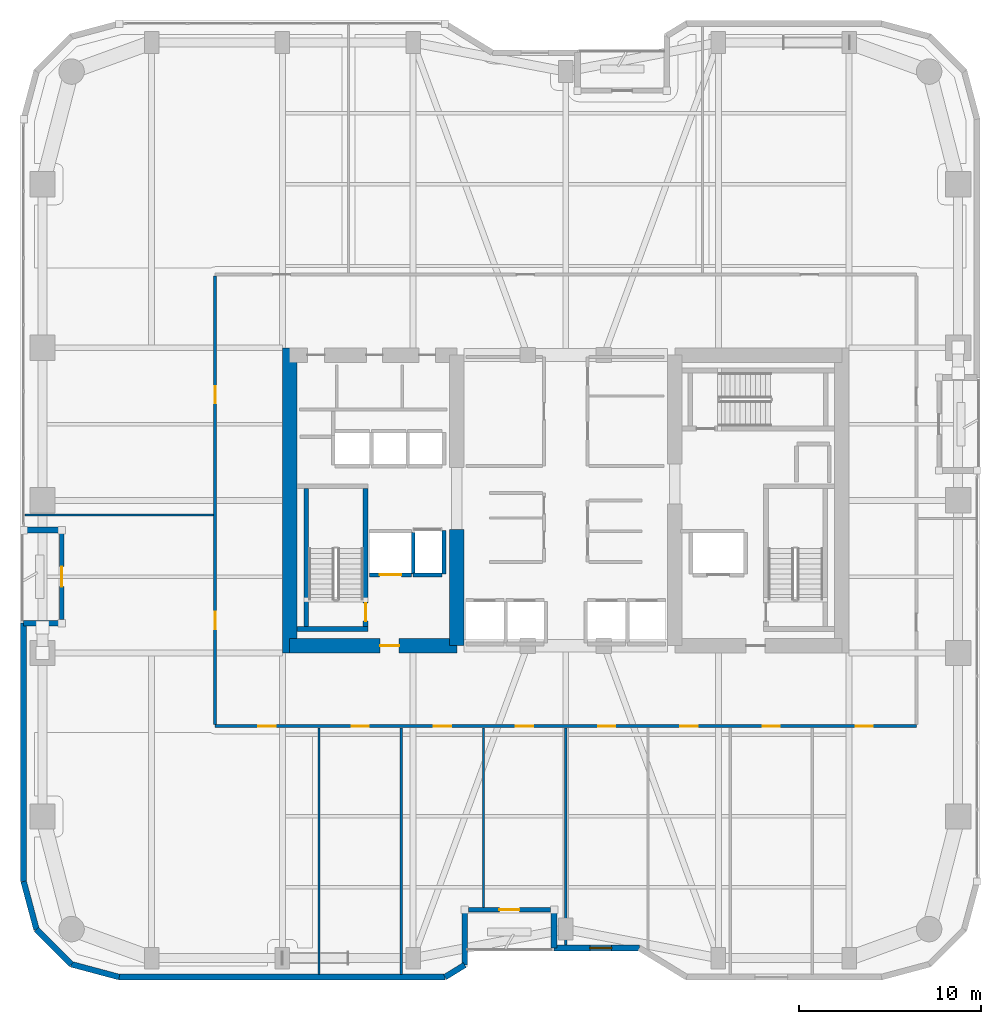
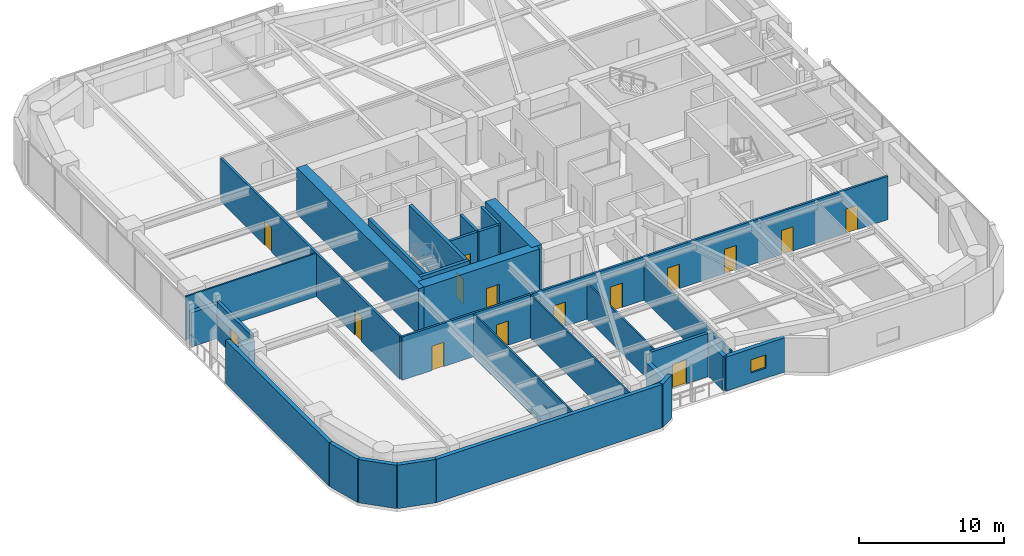
# One storey, part 18 of 24: 30 walls, 15 doors, 1 window, 16 openings.
"""IFC4 building model written with IfcOpenShell, lengths in metres."""

from ifc_helpers import new_model, si_unit, direction, frame, frame_2d, origin, place, context, subcontext, project, spatial, rectangle, extrude, material, layer, layer_set, type_object, element, fill, save


model = new_model("IFC4")

# Units and contexts
model_context = context("Model", 3, precision=1e-05, world=origin(), true_north=direction((0.0, 1.0)))
body_context = subcontext(model_context, "Body", "Model", "MODEL_VIEW")
ifc_project = project(units=[si_unit("LENGTHUNIT", "METRE"), si_unit("AREAUNIT", "SQUARE_METRE"), si_unit("VOLUMEUNIT", "CUBIC_METRE"), si_unit("PLANEANGLEUNIT", "RADIAN"), si_unit("MASSUNIT", "GRAM", prefix="KILO")], contexts=[model_context])

# Site, building, storey
site_placement = place(None, origin())
site = spatial("IfcSite", under=ifc_project, at=site_placement, CompositionType="ELEMENT")
building_placement = place(site_placement, origin())
building = spatial("IfcBuilding", under=site, at=building_placement, Name="Kiyonajd Concourse Tower", CompositionType="ELEMENT")
storey_placement = place(building_placement, frame((0.0, 0.0, 117.0)))
storey = spatial("IfcBuildingStorey", under=building, at=storey_placement, Name="L30", CompositionType="ELEMENT", Elevation=117.0)

# Walls
ifc_material_1 = material(Name="Concrete C70/85", Category="concrete")
ifc_layer_1 = layer(ifc_material_1, 0.800048828125)
ifc_layer_set_1 = layer_set([ifc_layer_1], Name="Concrete C70/85")
wall_type_1 = type_object("IfcWallType", Name="WL-CORE-800", PredefinedType="SHEAR", material=ifc_layer_set_1)
wall_1_placement = place(storey_placement, frame((32.800048828125, 27.60009765625, 0.0), z_axis=(0.0, 0.0, 1.0), x_axis=(0.0, 1.0, 0.0)))
element("IfcWall", 1, at=wall_1_placement, inside=storey, type_object=wall_type_1, Name="L30 West Core Outer Shear Wall", PredefinedType="SHEAR", context=body_context, shape_type="SweptSolid", body=[
    extrude(rectangle(XDim=16.7998046875, YDim=0.800048828125, at=frame_2d((8.39990234375, 0.0))), origin(), (0.0, 0.0, 1.0), 3.89990234375),
])
wall_2_placement = place(storey_placement, frame((42.0, 28.0, 0.0), z_axis=(0.0, 0.0, 1.0), x_axis=(0.0, 1.0, 0.0)))
element("IfcWall", 2, at=wall_2_placement, inside=storey, type_object=wall_type_1, Name="L30 West Core Inner South Shear Wall", PredefinedType="SHEAR", context=body_context, shape_type="SweptSolid", body=[
    extrude(rectangle(XDim=6.39990234375, YDim=0.800048828125, at=frame_2d((3.199951171875, 0.0))), origin(), (0.0, 0.0, 1.0), 3.89990234375),
])

# Wall, opening, door
wall_3_placement = place(storey_placement, frame((32.800048828125, 28.0, 0.0), z_axis=(0.0, 0.0, 1.0), x_axis=(1.0, 0.0, 0.0)))
wall_3 = element("IfcWall", 3, at=wall_3_placement, inside=storey, type_object=wall_type_1, Name="L30 West Core South Shear Wall", PredefinedType="SHEAR", context=body_context, shape_type="SweptSolid", body=[
    extrude(rectangle(XDim=9.199951171875, YDim=0.800048828125, at=frame_2d((4.60009765625, 0.0))), origin(), (0.0, 0.0, 1.0), 3.89990234375),
])
opening_1_placement = place(wall_3_placement, frame((4.97509765625, 0.0, 0.0)))
opening_1 = element("IfcOpeningElement", 4, at=opening_1_placement, cuts=wall_3, Name="Opening DF5", PredefinedType="OPENING", context=body_context, shape_type="SweptSolid", body=[
    extrude(rectangle(XDim=1.050048828125, YDim=2.0400390625, at=frame_2d((0.52490234375, 1.02001953125))), frame((0.0, 0.409912109375, 0.0), z_axis=(0.0, -1.0, 0.0), x_axis=(1.0, 0.0, 0.0)), (0.0, 0.0, 1.0), 0.820068359375),
])
ifc_material_2 = material(Name="Brushed Stainless Steel Cab Assembly", Category="steel")
door_type_1 = type_object("IfcDoorType", Name="DR-FD45-1050", OperationType="NOTDEFINED", PredefinedType="DOOR", material=ifc_material_2)
door_1_placement = place(opening_1_placement, origin())
door_1 = element("IfcDoor", 5, at=door_1_placement, inside=storey, type_object=door_type_1, Name="L30 Firefighting Lift Lobby W Smoke Door", OperationType="SINGLE_SWING_LEFT", OverallHeight=2.0400390625, OverallWidth=1.050048828125, PredefinedType="DOOR", context=body_context, shape_type="SweptSolid", body=[
    extrude(rectangle(XDim=1.050048828125, YDim=2.0400390625, at=frame_2d((0.52490234375, 1.02001953125))), frame((0.0, 0.02490234375, 0.0), z_axis=(0.0, -1.0, 0.0), x_axis=(1.0, 0.0, 0.0)), (0.0, 0.0, 1.0), 0.050048828125),
])
fill(opening_1, door_1)

# Walls
ifc_material_3 = material(Name="Precast concrete C50/60", Category="concrete")
ifc_layer_2 = layer(ifc_material_3, 0.320068359375)
ifc_layer_set_2 = layer_set([ifc_layer_2], Name="Precast concrete C50/60")
wall_type_2 = type_object("IfcWallType", Name="WL-EXT-320", PredefinedType="SOLIDWALL", material=ifc_layer_set_2)
wall_4_placement = place(storey_placement, frame((18.866455078125, 12.3828125, 0.0), z_axis=(0.0, 0.0, 1.0), x_axis=(-0.25869736047, 0.965958423373, 0.0)))
element("IfcWall", 6, at=wall_4_placement, inside=storey, type_object=wall_type_2, Name="L30 Exterior Concrete Frame Wall 00", PredefinedType="SOLIDWALL", context=body_context, shape_type="SweptSolid", body=[
    extrude(rectangle(XDim=2.731201171875, YDim=0.320068359375, at=frame_2d((1.36572265625, 0.0))), origin(), (0.0, 0.0, 1.0), 3.639892578125),
])
wall_5_placement = place(storey_placement, frame((18.159912109375, 15.02099609375, 0.0), z_axis=(0.0, 0.0, 1.0), x_axis=(0.0, 1.0, 0.0)))
element("IfcWall", 7, at=wall_5_placement, inside=storey, type_object=wall_type_2, Name="L30 Exterior Concrete Frame Wall 01", PredefinedType="SOLIDWALL", context=body_context, shape_type="SweptSolid", body=[
    extrude(rectangle(XDim=14.218994140625, YDim=0.320068359375, at=frame_2d((7.109375, 0.0))), origin(), (0.0, 0.0, 1.0), 3.639892578125),
])
for number, where, z_axis, x_axis, name in (
    (8, (18.159912109375, 29.239990234375, 0.0), (0.0, 0.0, 1.0), (1.0, 0.0, 0.0), "L30 Exterior Concrete Frame Wall 02"),
    (9, (20.260009765625, 34.360107421875, 0.0), (0.0, 0.0, 1.0), (-1.0, 0.0, 0.0), "L30 Exterior Concrete Frame Wall 04"),
):
    element("IfcWall", number, at=place(storey_placement, frame(where, z_axis=z_axis, x_axis=x_axis)), inside=storey, type_object=wall_type_2, Name=name, PredefinedType="SOLIDWALL", context=body_context, shape_type="SweptSolid", body=[
        extrude(rectangle(XDim=2.10009765625, YDim=0.320068359375, at=frame_2d((1.050048828125, 0.0))), origin(), (0.0, 0.0, 1.0), 2.875),
    ])

# Wall, opening, window
wall_6_placement = place(storey_placement, frame((52.04541015625, 11.360107421875, 0.0), z_axis=(0.0, 0.0, 1.0), x_axis=(-1.0, 0.0, 0.0)))
wall_6 = element("IfcWall", 10, at=wall_6_placement, inside=storey, type_object=wall_type_2, Name="L30 Exterior Concrete Frame Wall 30", PredefinedType="SOLIDWALL", context=body_context, shape_type="SweptSolid", body=[
    extrude(rectangle(XDim=4.685302734375, YDim=0.320068359375, at=frame_2d((2.3427734375, 0.0))), origin(), (0.0, 0.0, 1.0), 2.875),
])
opening_2_placement = place(wall_6_placement, frame((1.51806640625, 0.0, 0.85009765625)))
opening_2 = element("IfcOpeningElement", 11, at=opening_2_placement, cuts=wall_6, Name="Opening WN3", PredefinedType="OPENING", context=body_context, shape_type="SweptSolid", body=[
    extrude(rectangle(XDim=1.199951171875, YDim=1.10009765625, at=frame_2d((0.60009765625, 0.550048828125))), frame((0.0, 0.169921875, 0.0), z_axis=(0.0, -1.0, 0.0), x_axis=(1.0, 0.0, 0.0)), (0.0, 0.0, 1.0), 0.340087890625),
])
ifc_material_4 = material(Name="Double Low-E Insulated Glass", Category="glass")
window_type = type_object("IfcWindowType", Name="WN-VIS-1200x1100", PartitioningType="SINGLE_PANEL", PredefinedType="WINDOW", material=ifc_material_4)
window_placement = place(opening_2_placement, origin())
window = element("IfcWindow", 12, at=window_placement, inside=storey, type_object=window_type, Name="L30 Modular Facade Vision Window 30", OverallHeight=1.10009765625, OverallWidth=1.199951171875, PartitioningType="SINGLE_PANEL", PredefinedType="WINDOW", context=body_context, shape_type="SweptSolid", body=[
    extrude(rectangle(XDim=1.199951171875, YDim=1.10009765625, at=frame_2d((0.60009765625, 0.550048828125))), frame((0.0, 0.030029296875, 0.0), z_axis=(0.0, -1.0, 0.0), x_axis=(1.0, 0.0, 0.0)), (0.0, 0.0, 1.0), 0.06005859375),
])
fill(opening_2, window)

# Walls
wall_7_placement = place(storey_placement, frame((47.360107421875, 11.360107421875, 0.0), z_axis=(0.0, 0.0, 1.0), x_axis=(0.0, 1.0, 0.0)))
element("IfcWall", 13, at=wall_7_placement, inside=storey, type_object=wall_type_2, Name="L30 Exterior Concrete Frame Wall 31", PredefinedType="SOLIDWALL", context=body_context, shape_type="SweptSolid", body=[
    extrude(rectangle(XDim=2.099853515625, YDim=0.320068359375, at=frame_2d((1.0498046875, 0.0))), origin(), (0.0, 0.0, 1.0), 2.875),
])
wall_8_placement = place(storey_placement, frame((42.43994140625, 13.4599609375, 0.0), z_axis=(0.0, 0.0, 1.0), x_axis=(0.0, -1.0, 0.0)))
element("IfcWall", 14, at=wall_8_placement, inside=storey, type_object=wall_type_2, Name="L30 Exterior Concrete Frame Wall 33", PredefinedType="SOLIDWALL", context=body_context, shape_type="SweptSolid", body=[
    extrude(rectangle(XDim=3.032470703125, YDim=0.320068359375, at=frame_2d((1.51611328125, 0.0))), origin(), (0.0, 0.0, 1.0), 2.875),
])
wall_9_placement = place(storey_placement, frame((42.43994140625, 10.427490234375, 0.0), z_axis=(0.0, 0.0, 1.0), x_axis=(-0.851776724646, -0.523904964045, 0.0)))
element("IfcWall", 15, at=wall_9_placement, inside=storey, type_object=wall_type_2, Name="L30 Exterior Concrete Frame Wall 34", PredefinedType="SOLIDWALL", context=body_context, shape_type="SweptSolid", body=[
    extrude(rectangle(XDim=1.274169921875, YDim=0.320068359375, at=frame_2d((0.63720703125, 0.0))), origin(), (0.0, 0.0, 1.0), 3.639892578125),
])
wall_10_placement = place(storey_placement, frame((41.354736328125, 9.760009765625, 0.0), z_axis=(0.0, 0.0, 1.0), x_axis=(-1.0, 0.0, 0.0)))
element("IfcWall", 16, at=wall_10_placement, inside=storey, type_object=wall_type_2, Name="L30 Exterior Concrete Frame Wall 35", PredefinedType="SOLIDWALL", context=body_context, shape_type="SweptSolid", body=[
    extrude(rectangle(XDim=17.93359375, YDim=0.320068359375, at=frame_2d((8.966796875, 0.0))), origin(), (0.0, 0.0, 1.0), 3.639892578125),
])
wall_11_placement = place(storey_placement, frame((23.421142578125, 9.760009765625, 0.0), z_axis=(0.0, 0.0, 1.0), x_axis=(-0.965964405026, 0.25867502435, 0.0)))
element("IfcWall", 17, at=wall_11_placement, inside=storey, type_object=wall_type_2, Name="L30 Exterior Concrete Frame Wall 36", PredefinedType="SOLIDWALL", context=body_context, shape_type="SweptSolid", body=[
    extrude(rectangle(XDim=2.7314453125, YDim=0.320068359375, at=frame_2d((1.36572265625, 0.0))), origin(), (0.0, 0.0, 1.0), 3.639892578125),
])
wall_12_placement = place(storey_placement, frame((20.78271484375, 10.466552734375, 0.0), z_axis=(0.0, 0.0, 1.0), x_axis=(-0.707106781187, 0.707106781187, 0.0)))
element("IfcWall", 18, at=wall_12_placement, inside=storey, type_object=wall_type_2, Name="L30 Exterior Concrete Frame Wall 37", PredefinedType="SOLIDWALL", context=body_context, shape_type="SweptSolid", body=[
    extrude(rectangle(XDim=2.7099609375, YDim=0.320068359375, at=frame_2d((1.35498046875, 0.0))), origin(), (0.0, 0.0, 1.0), 3.639892578125),
])

# Wall, opening, door
ifc_layer_3 = layer(ifc_material_3, 0.239990234375)
ifc_layer_set_3 = layer_set([ifc_layer_3], Name="Precast concrete C50/60")
wall_type_3 = type_object("IfcWallType", Name="WL-LOG-240", PredefinedType="SOLIDWALL", material=ifc_layer_set_3)
wall_13_placement = place(storey_placement, frame((20.260009765625, 29.43505859375, 0.0), z_axis=(0.0, 0.0, 1.0), x_axis=(0.0, 1.0, 0.0)))
wall_13 = element("IfcWall", 19, at=wall_13_placement, inside=storey, type_object=wall_type_3, Name="L30 Recessed Loggia Thermal Wall LOG-W", PredefinedType="SOLIDWALL", context=body_context, shape_type="SweptSolid", body=[
    extrude(rectangle(XDim=4.72998046875, YDim=0.239990234375, at=frame_2d((2.364990234375, 0.0))), origin(), (0.0, 0.0, 1.0), 3.162109375),
])
opening_3_placement = place(wall_13_placement, frame((1.81494140625, 0.0, 0.0)))
opening_3 = element("IfcOpeningElement", 20, at=opening_3_placement, cuts=wall_13, Name="Opening DL2", PredefinedType="OPENING", context=body_context, shape_type="SweptSolid", body=[
    extrude(rectangle(XDim=1.10009765625, YDim=2.0400390625, at=frame_2d((0.550048828125, 1.02001953125))), frame((0.0, 0.1298828125, 0.0), z_axis=(0.0, -1.0, 0.0), x_axis=(1.0, 0.0, 0.0)), (0.0, 0.0, 1.0), 0.260009765625),
])
ifc_material_5 = material(Name="Thermally Broken Anodised Aluminium", Category="aluminium")
door_type_2 = type_object("IfcDoorType", Name="DR-LOG-1100", OperationType="NOTDEFINED", PredefinedType="DOOR", material=ifc_material_5)
door_2_placement = place(opening_3_placement, origin())
door_2 = element("IfcDoor", 21, at=door_2_placement, inside=storey, type_object=door_type_2, Name="L30 Engawa Loggia Access Door LOG-W", OperationType="SINGLE_SWING_LEFT", OverallHeight=2.0400390625, OverallWidth=1.10009765625, PredefinedType="DOOR", context=body_context, shape_type="SweptSolid", body=[
    extrude(rectangle(XDim=1.10009765625, YDim=2.0400390625, at=frame_2d((0.550048828125, 1.02001953125))), frame((0.0, 0.02490234375, 0.0), z_axis=(0.0, -1.0, 0.0), x_axis=(1.0, 0.0, 0.0)), (0.0, 0.0, 1.0), 0.050048828125),
])
fill(opening_3, door_2)

wall_14_placement = place(storey_placement, frame((47.1650390625, 13.4599609375, 0.0), z_axis=(0.0, 0.0, 1.0), x_axis=(-1.0, 0.0, 0.0)))
wall_14 = element("IfcWall", 22, at=wall_14_placement, inside=storey, type_object=wall_type_3, Name="L30 Recessed Loggia Thermal Wall LOG-S", PredefinedType="SOLIDWALL", context=body_context, shape_type="SweptSolid", body=[
    extrude(rectangle(XDim=4.530029296875, YDim=0.239990234375, at=frame_2d((2.26513671875, 0.0))), origin(), (0.0, 0.0, 1.0), 3.639892578125),
])
opening_4_placement = place(wall_14_placement, frame((1.715087890625, 0.0, 0.0)))
opening_4 = element("IfcOpeningElement", 23, at=opening_4_placement, cuts=wall_14, Name="Opening DL2", PredefinedType="OPENING", context=body_context, shape_type="SweptSolid", body=[
    extrude(rectangle(XDim=1.10009765625, YDim=2.0400390625, at=frame_2d((0.550048828125, 1.02001953125))), frame((0.0, 0.1298828125, 0.0), z_axis=(0.0, -1.0, 0.0), x_axis=(1.0, 0.0, 0.0)), (0.0, 0.0, 1.0), 0.260009765625),
])
door_3_placement = place(opening_4_placement, origin())
door_3 = element("IfcDoor", 24, at=door_3_placement, inside=storey, type_object=door_type_2, Name="L30 Engawa Loggia Access Door LOG-S", OperationType="SINGLE_SWING_RIGHT", OverallHeight=2.0400390625, OverallWidth=1.10009765625, PredefinedType="DOOR", context=body_context, shape_type="SweptSolid", body=[
    extrude(rectangle(XDim=1.10009765625, YDim=2.0400390625, at=frame_2d((0.550048828125, 1.02001953125))), frame((0.0, 0.02490234375, 0.0), z_axis=(0.0, -1.0, 0.0), x_axis=(1.0, 0.0, 0.0)), (0.0, 0.0, 1.0), 0.050048828125),
])
fill(opening_4, door_3)

# Walls
ifc_material_6 = material(Name="Gypsum Board on Cold-Formed Steel Stud", Category="steel")
ifc_layer_4 = layer(ifc_material_6, 0.125)
ifc_layer_set_4 = layer_set([ifc_layer_4], Name="Gypsum Board on Cold-Formed Steel Stud")
wall_type_4 = type_object("IfcWallType", Name="WL-PART-125", PredefinedType="PARTITIONING", material=ifc_layer_set_4)
for number, where, z_axis, x_axis, name in (
    (25, (34.419921875, 9.9150390625, 0.0), (0.0, 0.0, 1.0), (0.0, 1.0, 0.0), "L30 Interior Partition Wall"),
    (26, (38.949951171875, 9.9150390625, 0.0), (0.0, 0.0, 1.0), (0.0, 1.0, 0.0), "L30 Interior Partition Wall"),
):
    element("IfcWall", number, at=place(storey_placement, frame(where, z_axis=z_axis, x_axis=x_axis)), inside=storey, type_object=wall_type_4, Name=name, PredefinedType="PARTITIONING", context=body_context, shape_type="SweptSolid", body=[
        extrude(rectangle(XDim=13.56787109375, YDim=0.125, at=frame_2d((6.783935546875, 0.0))), origin(), (0.0, 0.0, 1.0), 3.639892578125),
    ])
wall_15_placement = place(storey_placement, frame((43.469970703125, 13.574951171875, 0.0), z_axis=(0.0, 0.0, 1.0), x_axis=(0.0, 1.0, 0.0)))
element("IfcWall", 27, at=wall_15_placement, inside=storey, type_object=wall_type_4, Name="L30 Interior Partition Wall", PredefinedType="PARTITIONING", context=body_context, shape_type="SweptSolid", body=[
    extrude(rectangle(XDim=9.907958984375, YDim=0.125, at=frame_2d((4.9541015625, 0.0))), origin(), (0.0, 0.0, 1.0), 3.0029296875),
])
wall_16_placement = place(storey_placement, frame((48.0, 11.514892578125, 0.0), z_axis=(0.0, 0.0, 1.0), x_axis=(0.0, 1.0, 0.0)))
element("IfcWall", 28, at=wall_16_placement, inside=storey, type_object=wall_type_4, Name="L30 Interior Partition Wall", PredefinedType="PARTITIONING", context=body_context, shape_type="SweptSolid", body=[
    extrude(rectangle(XDim=11.968017578125, YDim=0.125, at=frame_2d((5.98388671875, 0.0))), origin(), (0.0, 0.0, 1.0), 3.0029296875),
])
wall_17_placement = place(storey_placement, frame((18.2451171875, 35.199951171875, 0.0), z_axis=(0.0, 0.0, 1.0), x_axis=(1.0, 0.0, 0.0)))
element("IfcWall", 29, at=wall_17_placement, inside=storey, type_object=wall_type_4, Name="L30 Interior Partition Wall", PredefinedType="PARTITIONING", context=body_context, shape_type="SweptSolid", body=[
    extrude(rectangle(XDim=10.367919921875, YDim=0.125, at=frame_2d((5.18408203125, 0.0))), origin(), (0.0, 0.0, 1.0), 3.639892578125),
])

# Wall, opening, door
ifc_layer_5 = layer(ifc_material_6, 0.2099609375)
ifc_layer_set_5 = layer_set([ifc_layer_5], Name="Gypsum Board on Cold-Formed Steel Stud")
wall_type_5 = type_object("IfcWallType", Name="WL-SHAFT-210", PredefinedType="PARTITIONING", material=ifc_layer_set_5)
wall_18_placement = place(storey_placement, frame((37.199951171875, 31.89990234375, 0.0), z_axis=(0.0, 0.0, 1.0), x_axis=(1.0, 0.0, 0.0)))
wall_18 = element("IfcWall", 30, at=wall_18_placement, inside=storey, type_object=wall_type_5, Name="L30 Shaft Enclosure Wall", PredefinedType="PARTITIONING", context=body_context, shape_type="SweptSolid", body=[
    extrude(rectangle(XDim=2.300048828125, YDim=0.2099609375, at=frame_2d((1.14990234375, 0.0))), origin(), (0.0, 0.0, 1.0), 3.639892578125),
])
opening_5_placement = place(wall_18_placement, frame((0.550048828125, 0.0, 0.0)))
opening_5 = element("IfcOpeningElement", 31, at=opening_5_placement, cuts=wall_18, Name="Opening LD2", PredefinedType="OPENING", context=body_context, shape_type="SweptSolid", body=[
    extrude(rectangle(XDim=1.199951171875, YDim=2.0400390625, at=frame_2d((0.60009765625, 1.02001953125))), frame((0.0, 0.114990234375, 0.0), z_axis=(0.0, -1.0, 0.0), x_axis=(1.0, 0.0, 0.0)), (0.0, 0.0, 1.0), 0.22998046875),
])
door_type_3 = type_object("IfcDoorType", Name="DR-LD-1200", OperationType="DOUBLE_DOOR_SLIDING", PredefinedType="DOOR", material=ifc_material_2)
door_4_placement = place(opening_5_placement, origin())
door_4 = element("IfcDoor", 32, at=door_4_placement, inside=storey, type_object=door_type_3, Name="L30 Lift FFL1 Sliding Landing Door", OperationType="DOUBLE_DOOR_SLIDING", OverallHeight=2.0400390625, OverallWidth=1.199951171875, PredefinedType="DOOR", context=body_context, shape_type="SweptSolid", body=[
    extrude(rectangle(XDim=1.199951171875, YDim=2.0400390625, at=frame_2d((0.60009765625, 1.02001953125))), frame((0.0, 0.02490234375, 0.0), z_axis=(0.0, -1.0, 0.0), x_axis=(1.0, 0.0, 0.0)), (0.0, 0.0, 1.0), 0.050048828125),
])
fill(opening_5, door_4)

# Walls
wall_19_placement = place(storey_placement, frame((39.60009765625, 31.9599609375, 0.0), z_axis=(0.0, 0.0, 1.0), x_axis=(0.0, 1.0, 0.0)))
element("IfcWall", 33, at=wall_19_placement, inside=storey, type_object=wall_type_5, Name="L30 Shaft Enclosure Wall", PredefinedType="PARTITIONING", context=body_context, shape_type="SweptSolid", body=[
    extrude(rectangle(XDim=2.280029296875, YDim=0.2099609375, at=frame_2d((1.14013671875, 0.0))), origin(), (0.0, 0.0, 1.0), 3.639892578125),
])
wall_20_placement = place(storey_placement, frame((39.60009765625, 31.89990234375, 0.0), z_axis=(0.0, 0.0, 1.0), x_axis=(1.0, 0.0, 0.0)))
element("IfcWall", 34, at=wall_20_placement, inside=storey, type_object=wall_type_5, Name="L30 Shaft Enclosure Wall", PredefinedType="PARTITIONING", context=body_context, shape_type="SweptSolid", body=[
    extrude(rectangle(XDim=1.599853515625, YDim=0.2099609375, at=frame_2d((0.7998046875, 0.0))), origin(), (0.0, 0.0, 1.0), 3.639892578125),
])
wall_21_placement = place(storey_placement, frame((41.300048828125, 31.9599609375, 0.0), z_axis=(0.0, 0.0, 1.0), x_axis=(0.0, 1.0, 0.0)))
element("IfcWall", 35, at=wall_21_placement, inside=storey, type_object=wall_type_5, Name="L30 Shaft Enclosure Wall", PredefinedType="PARTITIONING", context=body_context, shape_type="SweptSolid", body=[
    extrude(rectangle(XDim=2.380126953125, YDim=0.2099609375, at=frame_2d((1.18994140625, 0.0))), origin(), (0.0, 0.0, 1.0), 3.639892578125),
])

# Wall, openings, doors
ifc_layer_6 = layer(ifc_material_6, 0.169921875)
ifc_layer_set_6 = layer_set([ifc_layer_6], Name="Gypsum Board on Cold-Formed Steel Stud")
wall_type_6 = type_object("IfcWallType", Name="WL-SMK-170", PredefinedType="PARTITIONING", material=ifc_layer_set_6)
wall_22_placement = place(storey_placement, frame((28.699951171875, 23.570068359375, 0.0), z_axis=(0.0, 0.0, 1.0), x_axis=(1.0, 0.0, 0.0)))
wall_22 = element("IfcWall", 36, at=wall_22_placement, inside=storey, type_object=wall_type_6, Name="L30 Interior Partition Wall", PredefinedType="PARTITIONING", context=body_context, shape_type="SweptSolid", body=[
    extrude(rectangle(XDim=38.60009765625, YDim=0.169921875, at=frame_2d((19.300048828125, 0.0))), origin(), (0.0, 0.0, 1.0), 3.639892578125),
])
opening_6_placement = place(wall_22_placement, frame((2.385009765625, 0.0, 0.0)))
opening_6 = element("IfcOpeningElement", 37, at=opening_6_placement, cuts=wall_22, Name="Opening DI1", PredefinedType="OPENING", context=body_context, shape_type="SweptSolid", body=[
    extrude(rectangle(XDim=0.949951171875, YDim=2.0400390625, at=frame_2d((0.47509765625, 1.02001953125))), frame((0.0, 0.094970703125, 0.0), z_axis=(0.0, -1.0, 0.0), x_axis=(1.0, 0.0, 0.0)), (0.0, 0.0, 1.0), 0.18994140625),
])
opening_7_placement = place(wall_22_placement, frame((7.510009765625, 0.0, 0.0)))
opening_7 = element("IfcOpeningElement", 38, at=opening_7_placement, cuts=wall_22, Name="Opening DI1", PredefinedType="OPENING", context=body_context, shape_type="SweptSolid", body=[
    extrude(rectangle(XDim=0.949951171875, YDim=2.0400390625, at=frame_2d((0.47509765625, 1.02001953125))), frame((0.0, 0.094970703125, 0.0), z_axis=(0.0, -1.0, 0.0), x_axis=(1.0, 0.0, 0.0)), (0.0, 0.0, 1.0), 0.18994140625),
])
opening_8_placement = place(wall_22_placement, frame((12.034912109375, 0.0, 0.0)))
opening_8 = element("IfcOpeningElement", 39, at=opening_8_placement, cuts=wall_22, Name="Opening DI1", PredefinedType="OPENING", context=body_context, shape_type="SweptSolid", body=[
    extrude(rectangle(XDim=0.949951171875, YDim=2.0400390625, at=frame_2d((0.47509765625, 1.02001953125))), frame((0.0, 0.094970703125, 0.0), z_axis=(0.0, -1.0, 0.0), x_axis=(1.0, 0.0, 0.0)), (0.0, 0.0, 1.0), 0.18994140625),
])
opening_9_placement = place(wall_22_placement, frame((16.56005859375, 0.0, 0.0)))
opening_9 = element("IfcOpeningElement", 40, at=opening_9_placement, cuts=wall_22, Name="Opening DI1", PredefinedType="OPENING", context=body_context, shape_type="SweptSolid", body=[
    extrude(rectangle(XDim=0.949951171875, YDim=2.0400390625, at=frame_2d((0.47509765625, 1.02001953125))), frame((0.0, 0.094970703125, 0.0), z_axis=(0.0, -1.0, 0.0), x_axis=(1.0, 0.0, 0.0)), (0.0, 0.0, 1.0), 0.18994140625),
])
opening_10_placement = place(wall_22_placement, frame((21.0849609375, 0.0, 0.0)))
opening_10 = element("IfcOpeningElement", 41, at=opening_10_placement, cuts=wall_22, Name="Opening DI1", PredefinedType="OPENING", context=body_context, shape_type="SweptSolid", body=[
    extrude(rectangle(XDim=0.949951171875, YDim=2.0400390625, at=frame_2d((0.47509765625, 1.02001953125))), frame((0.0, 0.094970703125, 0.0), z_axis=(0.0, -1.0, 0.0), x_axis=(1.0, 0.0, 0.0)), (0.0, 0.0, 1.0), 0.18994140625),
])
opening_11_placement = place(wall_22_placement, frame((25.610107421875, 0.0, 0.0)))
opening_11 = element("IfcOpeningElement", 42, at=opening_11_placement, cuts=wall_22, Name="Opening DI1", PredefinedType="OPENING", context=body_context, shape_type="SweptSolid", body=[
    extrude(rectangle(XDim=0.949951171875, YDim=2.0400390625, at=frame_2d((0.47509765625, 1.02001953125))), frame((0.0, 0.094970703125, 0.0), z_axis=(0.0, -1.0, 0.0), x_axis=(1.0, 0.0, 0.0)), (0.0, 0.0, 1.0), 0.18994140625),
])
opening_12_placement = place(wall_22_placement, frame((30.135009765625, 0.0, 0.0)))
opening_12 = element("IfcOpeningElement", 43, at=opening_12_placement, cuts=wall_22, Name="Opening DI1", PredefinedType="OPENING", context=body_context, shape_type="SweptSolid", body=[
    extrude(rectangle(XDim=0.949951171875, YDim=2.0400390625, at=frame_2d((0.47509765625, 1.02001953125))), frame((0.0, 0.094970703125, 0.0), z_axis=(0.0, -1.0, 0.0), x_axis=(1.0, 0.0, 0.0)), (0.0, 0.0, 1.0), 0.18994140625),
])
opening_13_placement = place(wall_22_placement, frame((35.260009765625, 0.0, 0.0)))
opening_13 = element("IfcOpeningElement", 44, at=opening_13_placement, cuts=wall_22, Name="Opening DI1", PredefinedType="OPENING", context=body_context, shape_type="SweptSolid", body=[
    extrude(rectangle(XDim=0.949951171875, YDim=2.0400390625, at=frame_2d((0.47509765625, 1.02001953125))), frame((0.0, 0.094970703125, 0.0), z_axis=(0.0, -1.0, 0.0), x_axis=(1.0, 0.0, 0.0)), (0.0, 0.0, 1.0), 0.18994140625),
])
ifc_material_7 = material(Name="Natural Oak Acoustic Timber Veneer", Category="wood")
door_type_4 = type_object("IfcDoorType", Name="DR-INT-950", OperationType="NOTDEFINED", PredefinedType="DOOR", material=ifc_material_7)
door_5_placement = place(opening_6_placement, origin())
door_5 = element("IfcDoor", 45, at=door_5_placement, inside=storey, type_object=door_type_4, Name="L30 Interior Door", OperationType="SINGLE_SWING_RIGHT", OverallHeight=2.0400390625, OverallWidth=0.949951171875, PredefinedType="DOOR", context=body_context, shape_type="SweptSolid", body=[
    extrude(rectangle(XDim=0.949951171875, YDim=2.0400390625, at=frame_2d((0.47509765625, 1.02001953125))), frame((0.0, 0.02490234375, 0.0), z_axis=(0.0, -1.0, 0.0), x_axis=(1.0, 0.0, 0.0)), (0.0, 0.0, 1.0), 0.050048828125),
])
fill(opening_6, door_5)
door_6_placement = place(opening_7_placement, origin())
door_6 = element("IfcDoor", 46, at=door_6_placement, inside=storey, type_object=door_type_4, Name="L30 Interior Door", OperationType="SINGLE_SWING_LEFT", OverallHeight=2.0400390625, OverallWidth=0.949951171875, PredefinedType="DOOR", context=body_context, shape_type="SweptSolid", body=[
    extrude(rectangle(XDim=0.949951171875, YDim=2.0400390625, at=frame_2d((0.47509765625, 1.02001953125))), frame((0.0, 0.02490234375, 0.0), z_axis=(0.0, -1.0, 0.0), x_axis=(1.0, 0.0, 0.0)), (0.0, 0.0, 1.0), 0.050048828125),
])
fill(opening_7, door_6)
door_7_placement = place(opening_8_placement, origin())
door_7 = element("IfcDoor", 47, at=door_7_placement, inside=storey, type_object=door_type_4, Name="L30 Interior Door", OperationType="SINGLE_SWING_RIGHT", OverallHeight=2.0400390625, OverallWidth=0.949951171875, PredefinedType="DOOR", context=body_context, shape_type="SweptSolid", body=[
    extrude(rectangle(XDim=0.949951171875, YDim=2.0400390625, at=frame_2d((0.47509765625, 1.02001953125))), frame((0.0, 0.02490234375, 0.0), z_axis=(0.0, -1.0, 0.0), x_axis=(1.0, 0.0, 0.0)), (0.0, 0.0, 1.0), 0.050048828125),
])
fill(opening_8, door_7)
door_8_placement = place(opening_9_placement, origin())
door_8 = element("IfcDoor", 48, at=door_8_placement, inside=storey, type_object=door_type_4, Name="L30 Interior Door", OperationType="SINGLE_SWING_LEFT", OverallHeight=2.0400390625, OverallWidth=0.949951171875, PredefinedType="DOOR", context=body_context, shape_type="SweptSolid", body=[
    extrude(rectangle(XDim=0.949951171875, YDim=2.0400390625, at=frame_2d((0.47509765625, 1.02001953125))), frame((0.0, 0.02490234375, 0.0), z_axis=(0.0, -1.0, 0.0), x_axis=(1.0, 0.0, 0.0)), (0.0, 0.0, 1.0), 0.050048828125),
])
fill(opening_9, door_8)
door_9_placement = place(opening_10_placement, origin())
door_9 = element("IfcDoor", 49, at=door_9_placement, inside=storey, type_object=door_type_4, Name="L30 Interior Door", OperationType="SINGLE_SWING_RIGHT", OverallHeight=2.0400390625, OverallWidth=0.949951171875, PredefinedType="DOOR", context=body_context, shape_type="SweptSolid", body=[
    extrude(rectangle(XDim=0.949951171875, YDim=2.0400390625, at=frame_2d((0.47509765625, 1.02001953125))), frame((0.0, 0.02490234375, 0.0), z_axis=(0.0, -1.0, 0.0), x_axis=(1.0, 0.0, 0.0)), (0.0, 0.0, 1.0), 0.050048828125),
])
fill(opening_10, door_9)
door_10_placement = place(opening_11_placement, origin())
door_10 = element("IfcDoor", 50, at=door_10_placement, inside=storey, type_object=door_type_4, Name="L30 Interior Door", OperationType="SINGLE_SWING_LEFT", OverallHeight=2.0400390625, OverallWidth=0.949951171875, PredefinedType="DOOR", context=body_context, shape_type="SweptSolid", body=[
    extrude(rectangle(XDim=0.949951171875, YDim=2.0400390625, at=frame_2d((0.47509765625, 1.02001953125))), frame((0.0, 0.02490234375, 0.0), z_axis=(0.0, -1.0, 0.0), x_axis=(1.0, 0.0, 0.0)), (0.0, 0.0, 1.0), 0.050048828125),
])
fill(opening_11, door_10)
door_11_placement = place(opening_12_placement, origin())
door_11 = element("IfcDoor", 51, at=door_11_placement, inside=storey, type_object=door_type_4, Name="L30 Interior Door", OperationType="SINGLE_SWING_RIGHT", OverallHeight=2.0400390625, OverallWidth=0.949951171875, PredefinedType="DOOR", context=body_context, shape_type="SweptSolid", body=[
    extrude(rectangle(XDim=0.949951171875, YDim=2.0400390625, at=frame_2d((0.47509765625, 1.02001953125))), frame((0.0, 0.02490234375, 0.0), z_axis=(0.0, -1.0, 0.0), x_axis=(1.0, 0.0, 0.0)), (0.0, 0.0, 1.0), 0.050048828125),
])
fill(opening_12, door_11)
door_12_placement = place(opening_13_placement, origin())
door_12 = element("IfcDoor", 52, at=door_12_placement, inside=storey, type_object=door_type_4, Name="L30 Interior Door", OperationType="SINGLE_SWING_LEFT", OverallHeight=2.0400390625, OverallWidth=0.949951171875, PredefinedType="DOOR", context=body_context, shape_type="SweptSolid", body=[
    extrude(rectangle(XDim=0.949951171875, YDim=2.0400390625, at=frame_2d((0.47509765625, 1.02001953125))), frame((0.0, 0.02490234375, 0.0), z_axis=(0.0, -1.0, 0.0), x_axis=(1.0, 0.0, 0.0)), (0.0, 0.0, 1.0), 0.050048828125),
])
fill(opening_13, door_12)

wall_23_placement = place(storey_placement, frame((28.699951171875, 23.656982421875, 0.0), z_axis=(0.0, 0.0, 1.0), x_axis=(0.0, 1.0, 0.0)))
wall_23 = element("IfcWall", 53, at=wall_23_placement, inside=storey, type_object=wall_type_6, Name="L30 Interior Partition Wall", PredefinedType="PARTITIONING", context=body_context, shape_type="SweptSolid", body=[
    extrude(rectangle(XDim=24.68603515625, YDim=0.169921875, at=frame_2d((12.343017578125, 0.0))), origin(), (0.0, 0.0, 1.0), 3.639892578125),
])
opening_14_placement = place(wall_23_placement, frame((5.2529296875, 0.0, 0.0)))
opening_14 = element("IfcOpeningElement", 54, at=opening_14_placement, cuts=wall_23, Name="Opening DI1", PredefinedType="OPENING", context=body_context, shape_type="SweptSolid", body=[
    extrude(rectangle(XDim=0.949951171875, YDim=2.0400390625, at=frame_2d((0.47509765625, 1.02001953125))), frame((0.0, 0.094970703125, 0.0), z_axis=(0.0, -1.0, 0.0), x_axis=(1.0, 0.0, 0.0)), (0.0, 0.0, 1.0), 0.18994140625),
])
opening_15_placement = place(wall_23_placement, frame((17.68310546875, 0.0, 0.0)))
opening_15 = element("IfcOpeningElement", 55, at=opening_15_placement, cuts=wall_23, Name="Opening DI1", PredefinedType="OPENING", context=body_context, shape_type="SweptSolid", body=[
    extrude(rectangle(XDim=0.949951171875, YDim=2.0400390625, at=frame_2d((0.47509765625, 1.02001953125))), frame((0.0, 0.094970703125, 0.0), z_axis=(0.0, -1.0, 0.0), x_axis=(1.0, 0.0, 0.0)), (0.0, 0.0, 1.0), 0.18994140625),
])
door_13_placement = place(opening_14_placement, origin())
door_13 = element("IfcDoor", 56, at=door_13_placement, inside=storey, type_object=door_type_4, Name="L30 Interior Door", OperationType="SINGLE_SWING_LEFT", OverallHeight=2.0400390625, OverallWidth=0.949951171875, PredefinedType="DOOR", context=body_context, shape_type="SweptSolid", body=[
    extrude(rectangle(XDim=0.949951171875, YDim=2.0400390625, at=frame_2d((0.47509765625, 1.02001953125))), frame((0.0, 0.02490234375, 0.0), z_axis=(0.0, -1.0, 0.0), x_axis=(1.0, 0.0, 0.0)), (0.0, 0.0, 1.0), 0.050048828125),
])
fill(opening_14, door_13)
door_14_placement = place(opening_15_placement, origin())
door_14 = element("IfcDoor", 57, at=door_14_placement, inside=storey, type_object=door_type_4, Name="L30 Interior Door", OperationType="SINGLE_SWING_RIGHT", OverallHeight=2.0400390625, OverallWidth=0.949951171875, PredefinedType="DOOR", context=body_context, shape_type="SweptSolid", body=[
    extrude(rectangle(XDim=0.949951171875, YDim=2.0400390625, at=frame_2d((0.47509765625, 1.02001953125))), frame((0.0, 0.02490234375, 0.0), z_axis=(0.0, -1.0, 0.0), x_axis=(1.0, 0.0, 0.0)), (0.0, 0.0, 1.0), 0.050048828125),
])
fill(opening_15, door_14)

# Walls
ifc_material_8 = material(Name="Concrete C50/60", Category="concrete")
ifc_layer_7 = layer(ifc_material_8, 0.260009765625)
ifc_layer_set_7 = layer_set([ifc_layer_7], Name="Concrete C50/60")
wall_type_7 = type_object("IfcWallType", Name="WL-STAIR-260", PredefinedType="SHEAR", material=ifc_layer_set_7)
wall_24_placement = place(storey_placement, frame((33.199951171875, 28.919921875, 0.0), z_axis=(0.0, 0.0, 1.0), x_axis=(1.0, 0.0, 0.0)))
element("IfcWall", 58, at=wall_24_placement, inside=storey, type_object=wall_type_7, Name="L30 Stair ST1 Structural South Wall", PredefinedType="SHEAR", context=body_context, shape_type="SweptSolid", body=[
    extrude(rectangle(XDim=3.91015625, YDim=0.260009765625, at=frame_2d((1.955078125, 0.0))), origin(), (0.0, 0.0, 1.0), 3.89990234375),
])
wall_25_placement = place(storey_placement, frame((33.719970703125, 29.050048828125, 0.0), z_axis=(0.0, 0.0, 1.0), x_axis=(0.0, 1.0, 0.0)))
element("IfcWall", 59, at=wall_25_placement, inside=storey, type_object=wall_type_7, Name="L30 Stair ST1 Structural West Wall", PredefinedType="SHEAR", context=body_context, shape_type="SweptSolid", body=[
    extrude(rectangle(XDim=7.599853515625, YDim=0.260009765625, at=frame_2d((3.7998046875, 0.0))), origin(), (0.0, 0.0, 1.0), 3.89990234375),
])

# Wall, opening, door
wall_26_placement = place(storey_placement, frame((36.97998046875, 29.050048828125, 0.0), z_axis=(0.0, 0.0, 1.0), x_axis=(0.0, 1.0, 0.0)))
wall_26 = element("IfcWall", 60, at=wall_26_placement, inside=storey, type_object=wall_type_7, Name="L30 Stair ST1 Structural East Wall", PredefinedType="SHEAR", context=body_context, shape_type="SweptSolid", body=[
    extrude(rectangle(XDim=7.599853515625, YDim=0.260009765625, at=frame_2d((3.7998046875, 0.0))), origin(), (0.0, 0.0, 1.0), 3.89990234375),
])
opening_16_placement = place(wall_26_placement, frame((0.300048828125, 0.0, 0.0)))
opening_16 = element("IfcOpeningElement", 61, at=opening_16_placement, cuts=wall_26, Name="Opening DF1", PredefinedType="OPENING", context=body_context, shape_type="SweptSolid", body=[
    extrude(rectangle(XDim=1.0, YDim=2.0400390625, at=frame_2d((0.5, 1.02001953125))), frame((0.0, 0.139892578125, 0.0), z_axis=(0.0, -1.0, 0.0), x_axis=(1.0, 0.0, 0.0)), (0.0, 0.0, 1.0), 0.280029296875),
])
door_type_5 = type_object("IfcDoorType", Name="DR-FD90-1000", OperationType="NOTDEFINED", PredefinedType="DOOR", material=ifc_material_2)
door_15_placement = place(opening_16_placement, origin())
door_15 = element("IfcDoor", 62, at=door_15_placement, inside=storey, type_object=door_type_5, Name="L30 Stair ST1 FSAE Door", OperationType="SINGLE_SWING_LEFT", OverallHeight=2.0400390625, OverallWidth=1.0, PredefinedType="DOOR", context=body_context, shape_type="SweptSolid", body=[
    extrude(rectangle(XDim=1.0, YDim=2.0400390625, at=frame_2d((0.5, 1.02001953125))), frame((0.0, 0.02490234375, 0.0), z_axis=(0.0, -1.0, 0.0), x_axis=(1.0, 0.0, 0.0)), (0.0, 0.0, 1.0), 0.050048828125),
])
fill(opening_16, door_15)

save(model, "model.ifc")
